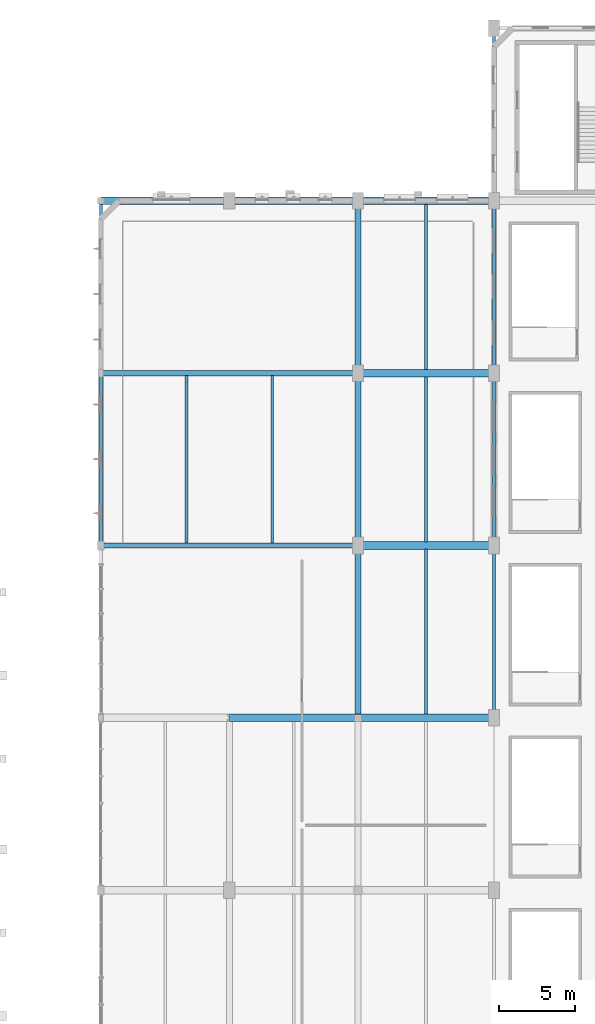
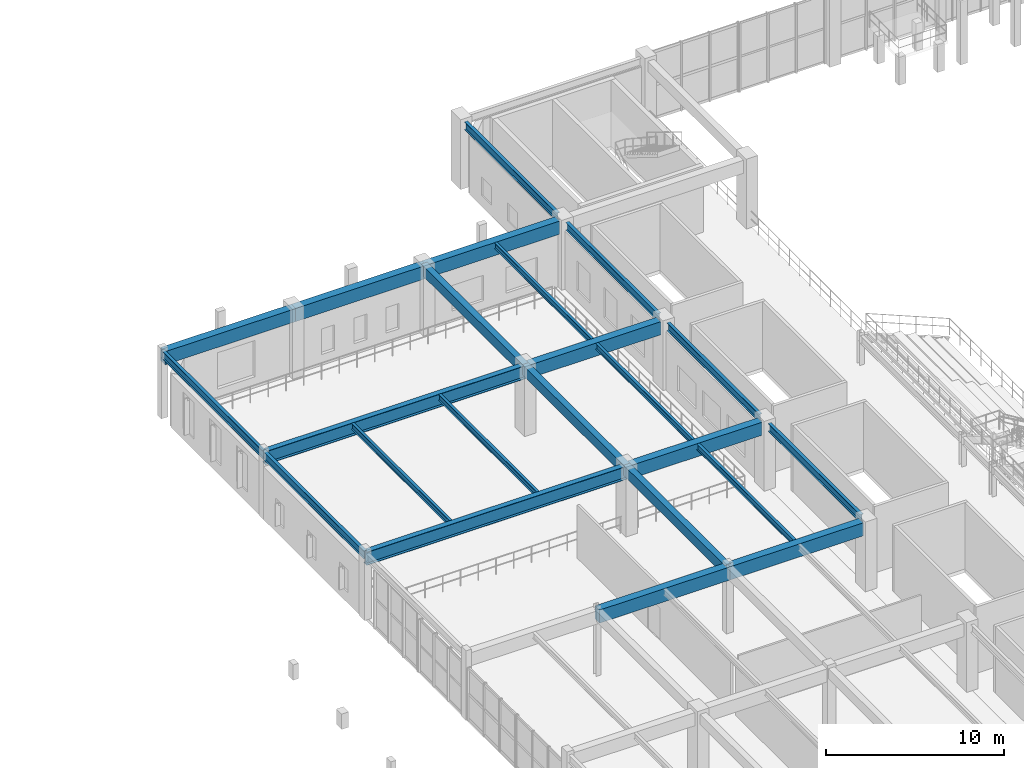
# One storey, part 49 of 106: 23 beams.
"""IFC4 building model written with IfcOpenShell, lengths in metres."""

from ifc_helpers import new_model, si_unit, direction, frame, origin, origin_2d, place, context, subcontext, project, spatial, rectangle, i_section, extrude, material, material_profile, profile_set, type_object, element, save


model = new_model("IFC4")

# Units and contexts
model_context = context("Model", 3, precision=1e-05, world=origin(), true_north=direction((0.0, 1.0)))
body_context = subcontext(model_context, "Body", "Model", "MODEL_VIEW")
ifc_project = project(units=[si_unit("LENGTHUNIT", "METRE"), si_unit("AREAUNIT", "SQUARE_METRE"), si_unit("VOLUMEUNIT", "CUBIC_METRE"), si_unit("PLANEANGLEUNIT", "RADIAN"), si_unit("MASSUNIT", "GRAM", prefix="KILO"), si_unit("POWERUNIT", "WATT"), si_unit("THERMODYNAMICTEMPERATUREUNIT", "KELVIN")], contexts=[model_context])

# Site, building, storey
site_placement = place(None, origin())
site = spatial("IfcSite", under=ifc_project, at=site_placement, CompositionType="ELEMENT")
building_placement = place(site_placement, origin())
building = spatial("IfcBuilding", under=site, at=building_placement, Name="Kelmbourne Parkland Aquatics Centre", CompositionType="ELEMENT")
storey_placement = place(building_placement, frame((0.0, 0.0, 5.39990234375)))
storey = spatial("IfcBuildingStorey", under=building, at=storey_placement, Name="L01", CompositionType="ELEMENT", Elevation=5.39990234375)

# Beams
ifc_material_1 = material(Name="Concrete C40/50", Category="concrete")
ifc_material_profile_1 = material_profile(ifc_material_1, rectangle(XDim=0.5, YDim=0.89990234375, at=origin_2d()), Name="RC 500x900")
ifc_profile_set_1 = profile_set([ifc_material_profile_1], Name="Concrete C40/50")
beam_type_1 = type_object("IfcBeamType", Name="BM-G03", PredefinedType="BEAM", material=ifc_profile_set_1)
beam_1_placement = place(storey_placement, frame((110.5, 69.199951171875, 4.110107421875), z_axis=(1.0, 0.0, 0.0), x_axis=(0.0, 1.0, 0.0)))
element("IfcBeam", 1, at=beam_1_placement, inside=storey, type_object=beam_type_1, Name="Primary girder N-O Grid 10 (L02)", PredefinedType="BEAM", context=body_context, shape_type="SweptSolid", body=[
    extrude(rectangle(XDim=0.5, YDim=0.89990234375, at=origin_2d()), origin(), (0.0, 0.0, 1.0), 8.5),
])
for number, where, z_axis, x_axis, name in (
    (2, (119.0, 69.199951171875, 4.110107421875), (1.0, 0.0, 0.0), (0.0, 1.0, 0.0), "Primary girder O-P Grid 10 (L02)"),
    (3, (119.0, 80.60009765625, 4.110107421875), (1.0, 0.0, 0.0), (0.0, 1.0, 0.0), "Primary girder O-P Grid 11 (L02)"),
    (4, (119.0, 92.0, 4.110107421875), (1.0, 0.0, 0.0), (0.0, 1.0, 0.0), "Primary girder O-P Grid 12 (L02)"),
):
    element("IfcBeam", number, at=place(storey_placement, frame(where, z_axis=z_axis, x_axis=x_axis)), inside=storey, type_object=beam_type_1, Name=name, PredefinedType="BEAM", context=body_context, shape_type="SweptSolid", body=[
        extrude(rectangle(XDim=0.5, YDim=0.89990234375, at=origin_2d()), origin(), (0.0, 0.0, 1.0), 8.669921875),
    ])
for number, where, z_axis, x_axis, name in (
    (5, (102.0, 103.39990234375, 4.110107421875), (1.0, 0.0, 0.0), (0.0, 1.0, 0.0), "Primary girder M-N Grid 13 (L02)"),
    (6, (110.5, 103.39990234375, 4.110107421875), (1.0, 0.0, 0.0), (0.0, 1.0, 0.0), "Primary girder N-O Grid 13 (L02)"),
):
    element("IfcBeam", number, at=place(storey_placement, frame(where, z_axis=z_axis, x_axis=x_axis)), inside=storey, type_object=beam_type_1, Name=name, PredefinedType="BEAM", context=body_context, shape_type="SweptSolid", body=[
        extrude(rectangle(XDim=0.5, YDim=0.89990234375, at=origin_2d()), origin(), (0.0, 0.0, 1.0), 8.5),
    ])
beam_2_placement = place(storey_placement, frame((119.0, 103.39990234375, 4.110107421875), z_axis=(1.0, 0.0, 0.0), x_axis=(0.0, 1.0, 0.0)))
element("IfcBeam", 7, at=beam_2_placement, inside=storey, type_object=beam_type_1, Name="Primary girder O-P Grid 13 (L02)", PredefinedType="BEAM", context=body_context, shape_type="SweptSolid", body=[
    extrude(rectangle(XDim=0.5, YDim=0.89990234375, at=origin_2d()), origin(), (0.0, 0.0, 1.0), 8.669921875),
])
ifc_material_profile_2 = material_profile(ifc_material_1, rectangle(XDim=0.39990234375, YDim=0.699951171875, at=origin_2d()), Name="RC 400x700")
ifc_profile_set_2 = profile_set([ifc_material_profile_2], Name="Concrete C40/50")
beam_type_2 = type_object("IfcBeamType", Name="BM-G05", PredefinedType="BEAM", material=ifc_profile_set_2)
beam_3_placement = place(storey_placement, frame((119.0, 69.199951171875, 4.210205078125), z_axis=(0.0, 1.0, 0.0), x_axis=(-1.0, 0.0, 0.0)))
element("IfcBeam", 8, at=beam_3_placement, inside=storey, type_object=beam_type_2, Name="Primary girder 10-11 Grid O (L02)", PredefinedType="BEAM", context=body_context, shape_type="SweptSolid", body=[
    extrude(rectangle(XDim=0.39990234375, YDim=0.699951171875, at=origin_2d()), origin(), (0.0, 0.0, 1.0), 11.400146484375),
])
for number, where, z_axis, x_axis, name in (
    (9, (119.0, 80.60009765625, 4.210205078125), (0.0, 1.0, 0.0), (-1.0, 0.0, 0.0), "Primary girder 11-12 Grid O (L02)"),
    (10, (119.0, 92.0, 4.210205078125), (0.0, 1.0, 0.0), (-1.0, 0.0, 0.0), "Primary girder 12-13 Grid O (L02)"),
):
    element("IfcBeam", number, at=place(storey_placement, frame(where, z_axis=z_axis, x_axis=x_axis)), inside=storey, type_object=beam_type_2, Name=name, PredefinedType="BEAM", context=body_context, shape_type="SweptSolid", body=[
        extrude(rectangle(XDim=0.39990234375, YDim=0.699951171875, at=origin_2d()), origin(), (0.0, 0.0, 1.0), 11.39990234375),
    ])
ifc_material_2 = material(Name="Structural steel AS/NZS 3679.1 Grade 300", Category="steel")
ifc_material_profile_3 = material_profile(ifc_material_2, i_section(OverallWidth=0.177978515625, OverallDepth=0.406005859375, WebThickness=0.0078125, FlangeThickness=0.0126953125, at=origin_2d()), Name="410UB59.7")
ifc_profile_set_3 = profile_set([ifc_material_profile_3], Name="Structural steel AS/NZS 3679.1 Grade 300")
beam_type_3 = type_object("IfcBeamType", Name="BM-J01", PredefinedType="JOIST", material=ifc_profile_set_3)
for number, where, z_axis, x_axis, name in (
    (11, (107.666748046875, 80.76708984375, 4.357177734375), (0.0, 1.0, 0.0), (-1.0, 0.0, 0.0), "Secondary floor joist M-O/11-12 #1 (L02)"),
    (12, (113.333251953125, 80.76708984375, 4.357177734375), (0.0, 1.0, 0.0), (-1.0, 0.0, 0.0), "Secondary floor joist M-O/11-12 #2 (L02)"),
):
    element("IfcBeam", number, at=place(storey_placement, frame(where, z_axis=z_axis, x_axis=x_axis)), inside=storey, type_object=beam_type_3, Name=name, PredefinedType="JOIST", context=body_context, shape_type="SweptSolid", body=[
        extrude(i_section(OverallWidth=0.177978515625, OverallDepth=0.406005859375, WebThickness=0.0078125, FlangeThickness=0.0126953125, at=origin_2d()), origin(), (0.0, 0.0, 1.0), 11.06591796875),
    ])
for number, where, z_axis, x_axis, name in (
    (13, (123.5, 69.44189453125, 4.357177734375), (0.0, 1.0, 0.0), (-1.0, 0.0, 0.0), "Secondary floor joist O-P/10-11 #1 (L02)"),
    (14, (123.5, 80.842041015625, 4.357177734375), (0.0, 1.0, 0.0), (-1.0, 0.0, 0.0), "Secondary floor joist O-P/11-12 #1 (L02)"),
    (15, (123.5, 92.241943359375, 4.357177734375), (0.0, 1.0, 0.0), (-1.0, 0.0, 0.0), "Secondary floor joist O-P/12-13 #1 (L02)"),
):
    element("IfcBeam", number, at=place(storey_placement, frame(where, z_axis=z_axis, x_axis=x_axis)), inside=storey, type_object=beam_type_3, Name=name, PredefinedType="JOIST", context=body_context, shape_type="SweptSolid", body=[
        extrude(i_section(OverallWidth=0.177978515625, OverallDepth=0.406005859375, WebThickness=0.0078125, FlangeThickness=0.0126953125, at=origin_2d()), origin(), (0.0, 0.0, 1.0), 10.916015625),
    ])
ifc_material_3 = material(Name="Welded plate steel AS/NZS 3678 Grade 350", Category="steel")
ifc_material_profile_4 = material_profile(ifc_material_3, i_section(OverallWidth=0.35009765625, OverallDepth=0.909912109375, WebThickness=0.011962890625, FlangeThickness=0.02490234375, at=origin_2d()), Name="900WB218")
ifc_profile_set_4 = profile_set([ifc_material_profile_4], Name="Welded plate steel AS/NZS 3678 Grade 350")
beam_type_4 = type_object("IfcBeamType", Name="BM-S09", PredefinedType="BEAM", material=ifc_profile_set_4)
for number, where, z_axis, x_axis, name in (
    (16, (102.0, 80.60009765625, 4.10498046875), (1.0, 0.0, 0.0), (0.0, 1.0, 0.0), "Primary girder M-O Grid 11 (L02)"),
    (17, (102.0, 92.0, 4.10498046875), (1.0, 0.0, 0.0), (0.0, 1.0, 0.0), "Primary girder M-O Grid 12 (L02)"),
):
    element("IfcBeam", number, at=place(storey_placement, frame(where, z_axis=z_axis, x_axis=x_axis)), inside=storey, type_object=beam_type_4, Name=name, PredefinedType="BEAM", context=body_context, shape_type="SweptSolid", body=[
        extrude(i_section(OverallWidth=0.35009765625, OverallDepth=0.909912109375, WebThickness=0.011962890625, FlangeThickness=0.02490234375, at=origin_2d()), origin(), (0.0, 0.0, 1.0), 17.0),
    ])
ifc_material_profile_5 = material_profile(ifc_material_2, i_section(OverallWidth=0.208984375, OverallDepth=0.532958984375, WebThickness=0.01025390625, FlangeThickness=0.015625, at=origin_2d()), Name="530UB92.4")
ifc_profile_set_5 = profile_set([ifc_material_profile_5], Name="Structural steel AS/NZS 3679.1 Grade 300")
beam_type_5 = type_object("IfcBeamType", Name="BM-SP02", PredefinedType="SPANDREL", material=ifc_profile_set_5)
for number, where, z_axis, x_axis, name in (
    (18, (102.0, 80.60009765625, 4.293701171875), (0.0, 1.0, 0.0), (-1.0, 0.0, 0.0), "Perimeter spandrel 11-12 Grid M (L02)"),
    (19, (102.0, 92.0, 4.293701171875), (0.0, 1.0, 0.0), (-1.0, 0.0, 0.0), "Perimeter spandrel 12-13 Grid M (L02)"),
):
    element("IfcBeam", number, at=place(storey_placement, frame(where, z_axis=z_axis, x_axis=x_axis)), inside=storey, type_object=beam_type_5, Name=name, PredefinedType="SPANDREL", context=body_context, shape_type="SweptSolid", body=[
        extrude(i_section(OverallWidth=0.208984375, OverallDepth=0.532958984375, WebThickness=0.01025390625, FlangeThickness=0.015625, at=origin_2d()), origin(), (0.0, 0.0, 1.0), 11.39990234375),
    ])
beam_4_placement = place(storey_placement, frame((128.0, 69.705078125, 4.293701171875), z_axis=(0.0, 1.0, 0.0), x_axis=(-1.0, 0.0, 0.0)))
element("IfcBeam", 20, at=beam_4_placement, inside=storey, type_object=beam_type_5, Name="Perimeter spandrel 10-11 Grid P (L02)", PredefinedType="SPANDREL", context=body_context, shape_type="SweptSolid", body=[
    extrude(i_section(OverallWidth=0.208984375, OverallDepth=0.532958984375, WebThickness=0.01025390625, FlangeThickness=0.015625, at=origin_2d()), origin(), (0.0, 0.0, 1.0), 10.389892578125),
])
for number, where, z_axis, x_axis, name in (
    (21, (128.0, 81.10498046875, 4.293701171875), (0.0, 1.0, 0.0), (-1.0, 0.0, 0.0), "Perimeter spandrel 11-12 Grid P (L02)"),
    (22, (128.0, 92.5048828125, 4.293701171875), (0.0, 1.0, 0.0), (-1.0, 0.0, 0.0), "Perimeter spandrel 12-13 Grid P (L02)"),
):
    element("IfcBeam", number, at=place(storey_placement, frame(where, z_axis=z_axis, x_axis=x_axis)), inside=storey, type_object=beam_type_5, Name=name, PredefinedType="SPANDREL", context=body_context, shape_type="SweptSolid", body=[
        extrude(i_section(OverallWidth=0.208984375, OverallDepth=0.532958984375, WebThickness=0.01025390625, FlangeThickness=0.015625, at=origin_2d()), origin(), (0.0, 0.0, 1.0), 10.39013671875),
    ])
beam_5_placement = place(storey_placement, frame((128.0, 103.905029296875, 4.293701171875), z_axis=(0.0, 1.0, 0.0), x_axis=(-1.0, 0.0, 0.0)))
element("IfcBeam", 23, at=beam_5_placement, inside=storey, type_object=beam_type_5, Name="Perimeter spandrel 13-14 Grid P (L02)", PredefinedType="SPANDREL", context=body_context, shape_type="SweptSolid", body=[
    extrude(i_section(OverallWidth=0.208984375, OverallDepth=0.532958984375, WebThickness=0.01025390625, FlangeThickness=0.015625, at=origin_2d()), origin(), (0.0, 0.0, 1.0), 10.389892578125),
])

save(model, "model.ifc")
